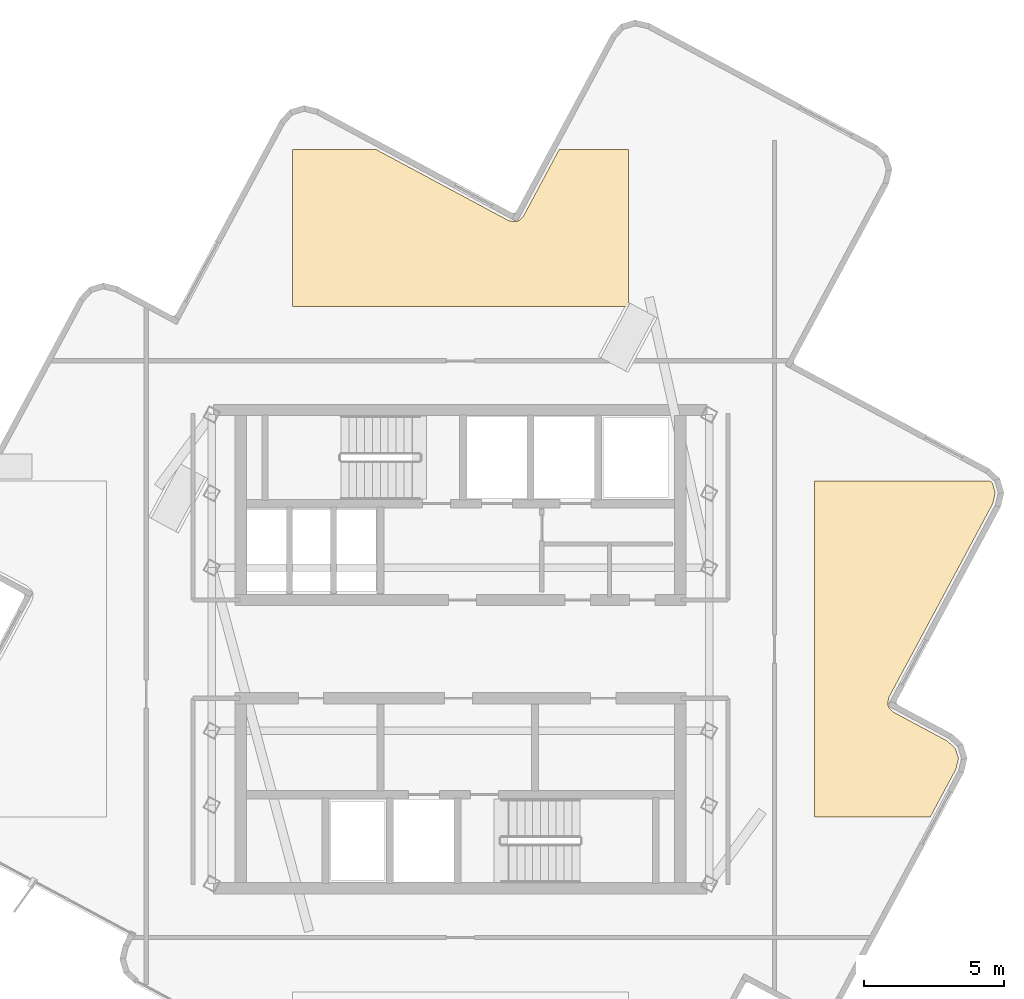
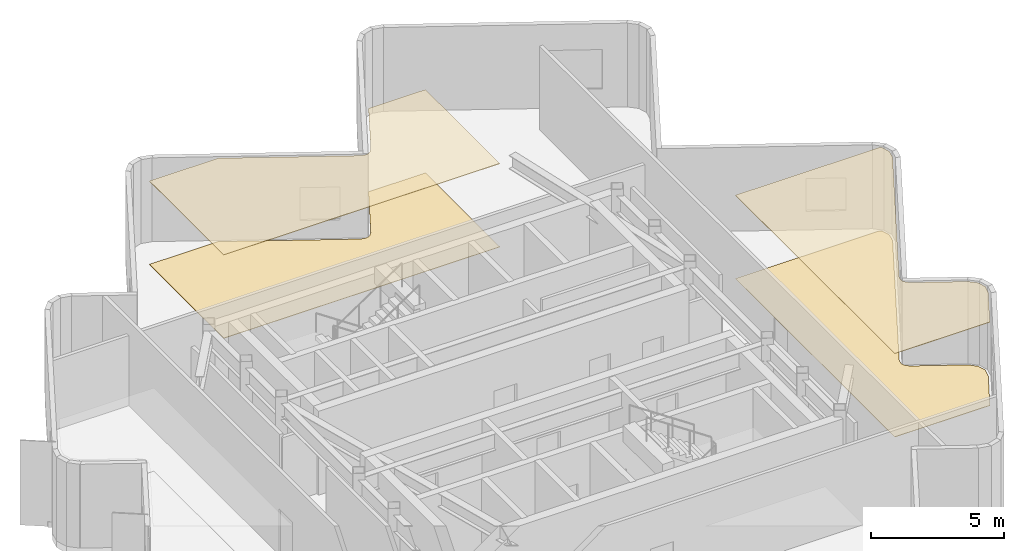
# One storey, part 8 of 9: 4 coverings.
"""IFC4 building model written with IfcOpenShell, lengths in metres."""

import ifcopenshell
import ifcopenshell.guid

model = None  # the IFC model being written
_history = None  # IfcOwnerHistory: only IFC2X3 demands one
_inside = {}  # id of a spatial element -> (the spatial element, [elements in it])
_under = {}  # id of a project, library or spatial element -> (it, [spatial elements below it])
_declared = {}  # id of a project -> (the project, [libraries it declares])
_typed = {}  # id of a type object -> (the type object, [elements of that type])
_made_of = {}  # id of a material, layer set ... -> (it, [elements and type objects made of it])


def new_model(schema):
    """Start an empty IFC model of exactly this schema.

    Asked for "IFC4X3", IfcOpenShell would pick the latest addendum, in which some entities
    have other attributes; the version numbers below select the first issue.
    IFC2X3 requires an IfcOwnerHistory on every rooted entity: one is made here for all.
    """
    global model, _history
    if schema == "IFC4X3":
        model = ifcopenshell.file(schema_version=(4, 3, 0, 0))
    else:
        model = ifcopenshell.file(schema=schema)
    _inside.clear()
    _under.clear()
    _declared.clear()
    _typed.clear()
    _made_of.clear()
    _history = None
    if model.schema == "IFC2X3":
        org = make("IfcOrganization", Name="unknown")
        user = make(
            "IfcPersonAndOrganization",
            ThePerson=make("IfcPerson", FamilyName="unknown"),
            TheOrganization=org,
        )
        app = make(
            "IfcApplication",
            ApplicationDeveloper=org,
            Version="unknown",
            ApplicationFullName="unknown",
            ApplicationIdentifier="unknown",
        )
        _history = make(
            "IfcOwnerHistory",
            OwningUser=user,
            OwningApplication=app,
            ChangeAction="ADDED",
            CreationDate=0,
        )
    return model


def make(cls, **values):
    """One entity of the class cls with the attributes given. An attribute that is None is left unset."""
    return model.create_entity(
        cls, **{name: value for name, value in values.items() if value is not None}
    )


def rooted(cls, **values):
    """An entity with a GlobalId (a new one), such as an element, a storey or a relation."""
    return make(cls, GlobalId=ifcopenshell.guid.new(), OwnerHistory=_history, **values)


def si_unit(unit_type, name, prefix=None):
    """IfcSIUnit, for example si_unit("LENGTHUNIT", "METRE", prefix="MILLI")."""
    return make("IfcSIUnit", UnitType=unit_type, Prefix=prefix, Name=name)


def assignment(units):
    """IfcUnitAssignment: the units of a project."""
    return None if units is None else make("IfcUnitAssignment", Units=units)


def point(xyz):
    """IfcCartesianPoint."""
    return None if xyz is None else make("IfcCartesianPoint", Coordinates=xyz)


def direction(xyz):
    """IfcDirection."""
    return None if xyz is None else make("IfcDirection", DirectionRatios=xyz)


def frame(location, z_axis=None, x_axis=None):
    """IfcAxis2Placement3D, a coordinate frame: its origin and axes. An axis left out is left unset."""
    return make(
        "IfcAxis2Placement3D",
        Location=point(location),
        Axis=direction(z_axis),
        RefDirection=direction(x_axis),
    )


def origin():
    """The frame at (0, 0, 0) with its axes left unset."""
    return frame((0.0, 0.0, 0.0))


def place(relative_to, where):
    """IfcLocalPlacement: puts the frame where relative to a parent placement (None: the world)."""
    return make(
        "IfcLocalPlacement", PlacementRelTo=relative_to, RelativePlacement=where
    )


def context(
    kind, dimensions, precision=None, world=None, true_north=None, identifier=None
):
    """IfcGeometricRepresentationContext, for example the 3D "Model" context."""
    return make(
        "IfcGeometricRepresentationContext",
        ContextIdentifier=identifier,
        ContextType=kind,
        CoordinateSpaceDimension=dimensions,
        Precision=precision,
        WorldCoordinateSystem=world,
        TrueNorth=true_north,
    )


def subcontext(parent, identifier, kind, view, scale=None):
    """IfcGeometricRepresentationSubContext, for example "Body" below "Model"."""
    return make(
        "IfcGeometricRepresentationSubContext",
        ContextIdentifier=identifier,
        ContextType=kind,
        ParentContext=parent,
        TargetScale=scale,
        TargetView=view,
    )


def project(units=None, contexts=None):
    """IfcProject with its units and contexts."""
    return rooted(
        "IfcProject",
        Name="project",
        RepresentationContexts=contexts,
        UnitsInContext=assignment(units),
    )


def spatial(cls, under=None, at=None, **own):
    """A site, building, storey or space (cls), placed at a placement, below another one or the project."""
    s = rooted(cls, ObjectPlacement=at, **own)
    if under is not None:
        _under.setdefault(under.id(), (under, []))[1].append(s)
    return s


def polyline(points):
    """IfcPolyline through the points."""
    return make("IfcPolyline", Points=[point(p) for p in points])


def outline(outer, holes=None, kind="AREA"):
    """IfcArbitraryClosedProfileDef: a profile drawn as a closed curve; with holes, ...WithVoids."""
    if holes is None:
        return make("IfcArbitraryClosedProfileDef", ProfileType=kind, OuterCurve=outer)
    return make(
        "IfcArbitraryProfileDefWithVoids",
        ProfileType=kind,
        OuterCurve=outer,
        InnerCurves=holes,
    )


def extrude(swept, where, along, depth):
    """IfcExtrudedAreaSolid: the profile swept, set in the frame where, extruded along a direction by depth."""
    return make(
        "IfcExtrudedAreaSolid",
        SweptArea=swept,
        Position=where,
        ExtrudedDirection=direction(along),
        Depth=depth,
    )


def shape(context_of_items, identifier, shape_type, items):
    """IfcShapeRepresentation: the items that make up one representation, for example the "Body"."""
    return make(
        "IfcShapeRepresentation",
        ContextOfItems=context_of_items,
        RepresentationIdentifier=identifier,
        RepresentationType=shape_type,
        Items=items,
    )


def material(Name=None, Category=None):
    """IfcMaterial."""
    return make("IfcMaterial", Name=Name, Category=Category)


def layer(
    of_material, thickness, ventilated=None, Name=None, Category=None, Priority=None
):
    """IfcMaterialLayer: one layer of a wall or slab, of a material (None: an air gap)."""
    return make(
        "IfcMaterialLayer",
        Material=of_material,
        LayerThickness=thickness,
        IsVentilated=ventilated,
        Name=Name,
        Category=Category,
        Priority=Priority,
    )


def layer_set(layers, Name=None):
    """IfcMaterialLayerSet."""
    return make("IfcMaterialLayerSet", MaterialLayers=layers, LayerSetName=Name)


def made_of(thing, what):
    """Note that an element or type object is made of a material, layer set ...; save() writes the relation."""
    if what is not None:
        _made_of.setdefault(what.id(), (what, []))[1].append(thing)
    return thing


def type_object(cls, material=None, **own):
    """A type object (cls), such as IfcWallType, which elements share."""
    return made_of(rooted(cls, **own), material)


def element(
    cls,
    number,
    at=None,
    inside=None,
    cuts=None,
    type_object=None,
    material=None,
    context=None,
    identifier="Body",
    shape_type=None,
    held_by="IfcProductDefinitionShape",
    body=None,
    shapes=None,
    **own,
):
    """One element of the class cls, such as IfcWall. Its Tag is "e" and its number.

    at: its placement. inside: the storey or other place that contains it. cuts: it is an
    opening in that element (IfcRelVoidsElement). A single representation is given by context,
    identifier, shape_type and body (its items); several are given by shapes. held_by: the class
    of the entity that holds the representations. save() writes the other relations.
    """
    e = rooted(cls, Tag="e%d" % number, ObjectPlacement=at, **own)
    if body is not None:
        shapes = [shape(context, identifier, shape_type, body)]
    if shapes is not None:
        e.Representation = make(held_by, Representations=shapes)
    if inside is not None:
        _inside.setdefault(inside.id(), (inside, []))[1].append(e)
    if cuts is not None:
        rooted(
            "IfcRelVoidsElement", RelatingBuildingElement=cuts, RelatedOpeningElement=e
        )
    if type_object is not None:
        _typed.setdefault(type_object.id(), (type_object, []))[1].append(e)
    return made_of(e, material)


def aggregate(whole, parts):
    """IfcRelAggregates: a whole, such as a stair, and the parts it consists of."""
    return rooted("IfcRelAggregates", RelatingObject=whole, RelatedObjects=parts)


def save(model, path):
    """Write the relations noted so far, then the file.

    IfcRelAggregates (storeys below a building ...), IfcRelContainedInSpatialStructure (elements
    in a storey), IfcRelDefinesByType, IfcRelAssociatesMaterial and IfcRelDeclares: one each for
    every whole, place, type object, material and project.
    """
    for whole, parts in _under.values():
        aggregate(whole, parts)
    for where, things in _inside.values():
        rooted(
            "IfcRelContainedInSpatialStructure",
            RelatedElements=things,
            RelatingStructure=where,
        )
    for kind, things in _typed.values():
        rooted("IfcRelDefinesByType", RelatedObjects=things, RelatingType=kind)
    for what, things in _made_of.values():
        rooted("IfcRelAssociatesMaterial", RelatedObjects=things, RelatingMaterial=what)
    for by, libraries in _declared.values():
        rooted("IfcRelDeclares", RelatingContext=by, RelatedDefinitions=libraries)
    model.write(path)


model = new_model("IFC4")

# Units and contexts
model_context = context("Model", 3, precision=1e-05, world=origin(), true_north=direction((0.0, 1.0)))
body_context = subcontext(model_context, "Body", "Model", "MODEL_VIEW")
ifc_project = project(units=[si_unit("LENGTHUNIT", "METRE"), si_unit("AREAUNIT", "SQUARE_METRE"), si_unit("VOLUMEUNIT", "CUBIC_METRE"), si_unit("PLANEANGLEUNIT", "RADIAN"), si_unit("MASSUNIT", "GRAM", prefix="KILO")], contexts=[model_context])

# Site, building, storey
site_placement = place(None, origin())
site = spatial("IfcSite", under=ifc_project, at=site_placement, CompositionType="ELEMENT")
building_placement = place(site_placement, origin())
building = spatial("IfcBuilding", under=site, at=building_placement, Name="Solmarez Civic Tower", CompositionType="ELEMENT")
storey_placement = place(building_placement, frame((0.0, 0.0, 285.1201171875)))
storey = spatial("IfcBuildingStorey", under=building, at=storey_placement, Name="L77 Crown", CompositionType="ELEMENT", Elevation=285.1201171875)

# Coverings
ifc_material_1 = material(Name="Perforated Mineral-Fibre Acoustic Ceiling")
ifc_layer_1 = layer(ifc_material_1, 0.02490234375)
ifc_layer_set_1 = layer_set([ifc_layer_1], Name="Perforated Mineral-Fibre Acoustic Ceiling")
covering_type_1 = type_object("IfcCoveringType", Name="COV-CEIL-ACOUSTIC", PredefinedType="CEILING", material=ifc_layer_set_1)
covering_1_placement = place(storey_placement, frame((0.0, 0.0, 3.81494140625)))
element("IfcCovering", 1, at=covering_1_placement, inside=storey, type_object=covering_type_1, Name="L77 Crown Suspended Acoustic Ceiling 1", PredefinedType="CEILING", context=body_context, shape_type="SweptSolid", body=[
    extrude(outline(polyline([(5.97998046875, 17.780029296875), (3.513916015625, 17.780029296875), (2.262939453125, 15.446044921875), (2.251953125, 15.427978515625), (2.243896484375, 15.416015625), (2.23095703125, 15.39892578125), (2.214111328125, 15.3798828125), (2.14404296875, 15.304931640625), (2.138916015625, 15.299072265625), (2.133056640625, 15.29296875), (2.117919921875, 15.280029296875), (2.112060546875, 15.27490234375), (2.093017578125, 15.260986328125), (2.0869140625, 15.257080078125), (2.070068359375, 15.2470703125), (2.052001953125, 15.238037109375), (2.044921875, 15.235107421875), (2.0380859375, 15.23193359375), (2.010986328125, 15.221923828125), (2.00390625, 15.219970703125), (1.9970703125, 15.218017578125), (1.98095703125, 15.214111328125), (1.964111328125, 15.2119140625), (1.9560546875, 15.2109375), (1.928955078125, 15.208984375), (1.9208984375, 15.208984375), (1.889892578125, 15.2109375), (1.885009765625, 15.2119140625), (1.87890625, 15.212890625), (1.85498046875, 15.217041015625), (1.7509765625, 15.241943359375), (1.741943359375, 15.243896484375), (1.735107421875, 15.24609375), (1.72802734375, 15.248046875), (1.7080078125, 15.2548828125), (1.68994140625, 15.262939453125), (1.68408203125, 15.26611328125), (1.677978515625, 15.26904296875), (-3.00390625, 17.780029296875), (-5.97998046875, 17.780029296875), (-5.97998046875, 12.199951171875), (5.97998046875, 12.199951171875), (5.97998046875, 17.780029296875)])), origin(), (0.0, 0.0, 1.0), 0.02490234375),
])
covering_2_placement = place(storey_placement, frame((0.0, 0.0, 3.81494140625)))
element("IfcCovering", 2, at=covering_2_placement, inside=storey, type_object=covering_type_1, Name="L77 Crown Suspended Acoustic Ceiling 3", PredefinedType="CEILING", context=body_context, shape_type="SweptSolid", body=[
    extrude(outline(polyline([(12.60009765625, 5.97998046875), (12.60009765625, -5.97998046875), (16.718017578125, -5.97998046875), (17.633056640625, -4.27490234375), (17.72412109375, -3.886962890625), (17.62109375, -3.544921875), (17.3310546875, -3.27294921875), (15.446044921875, -2.262939453125), (15.427978515625, -2.251953125), (15.416015625, -2.243896484375), (15.39892578125, -2.23095703125), (15.3798828125, -2.214111328125), (15.304931640625, -2.14404296875), (15.299072265625, -2.138916015625), (15.29296875, -2.133056640625), (15.280029296875, -2.117919921875), (15.27490234375, -2.112060546875), (15.260986328125, -2.093017578125), (15.257080078125, -2.0869140625), (15.2470703125, -2.070068359375), (15.238037109375, -2.052001953125), (15.235107421875, -2.044921875), (15.23193359375, -2.0380859375), (15.221923828125, -2.010986328125), (15.219970703125, -2.00390625), (15.218017578125, -1.9970703125), (15.214111328125, -1.98095703125), (15.2119140625, -1.964111328125), (15.2109375, -1.9560546875), (15.208984375, -1.928955078125), (15.208984375, -1.9208984375), (15.2109375, -1.889892578125), (15.2119140625, -1.885009765625), (15.212890625, -1.87890625), (15.217041015625, -1.85498046875), (15.241943359375, -1.7509765625), (15.243896484375, -1.741943359375), (15.24609375, -1.735107421875), (15.248046875, -1.72802734375), (15.2548828125, -1.7080078125), (15.262939453125, -1.68994140625), (15.26611328125, -1.68408203125), (15.26904296875, -1.677978515625), (18.943115234375, 5.173095703125), (19.032958984375, 5.56005859375), (18.929931640625, 5.902099609375), (18.847900390625, 5.97998046875), (12.60009765625, 5.97998046875)])), origin(), (0.0, 0.0, 1.0), 0.02490234375),
])
ifc_material_2 = material(Name="Polished Tropical Stone Terrazzo Flooring", Category="masonry")
ifc_layer_2 = layer(ifc_material_2, 0.02001953125)
ifc_layer_set_2 = layer_set([ifc_layer_2], Name="Polished Tropical Stone Terrazzo Flooring")
covering_type_2 = type_object("IfcCoveringType", Name="COV-FLOOR-TERRAZZO", PredefinedType="FLOORING", material=ifc_layer_set_2)
covering_3_placement = place(storey_placement, origin())
element("IfcCovering", 3, at=covering_3_placement, inside=storey, type_object=covering_type_2, Name="L77 Crown Terrazzo Floor Finish 1", PredefinedType="FLOORING", context=body_context, shape_type="SweptSolid", body=[
    extrude(outline(polyline([(5.97998046875, 17.780029296875), (3.513916015625, 17.780029296875), (2.262939453125, 15.446044921875), (2.251953125, 15.427978515625), (2.243896484375, 15.416015625), (2.23095703125, 15.39892578125), (2.214111328125, 15.3798828125), (2.14404296875, 15.304931640625), (2.138916015625, 15.299072265625), (2.133056640625, 15.29296875), (2.117919921875, 15.280029296875), (2.112060546875, 15.27490234375), (2.093017578125, 15.260986328125), (2.0869140625, 15.257080078125), (2.070068359375, 15.2470703125), (2.052001953125, 15.238037109375), (2.044921875, 15.235107421875), (2.0380859375, 15.23193359375), (2.010986328125, 15.221923828125), (2.00390625, 15.219970703125), (1.9970703125, 15.218017578125), (1.98095703125, 15.214111328125), (1.964111328125, 15.2119140625), (1.9560546875, 15.2109375), (1.928955078125, 15.208984375), (1.9208984375, 15.208984375), (1.889892578125, 15.2109375), (1.885009765625, 15.2119140625), (1.87890625, 15.212890625), (1.85498046875, 15.217041015625), (1.7509765625, 15.241943359375), (1.741943359375, 15.243896484375), (1.735107421875, 15.24609375), (1.72802734375, 15.248046875), (1.7080078125, 15.2548828125), (1.68994140625, 15.262939453125), (1.68408203125, 15.26611328125), (1.677978515625, 15.26904296875), (-3.00390625, 17.780029296875), (-5.97998046875, 17.780029296875), (-5.97998046875, 12.199951171875), (5.97998046875, 12.199951171875), (5.97998046875, 17.780029296875)])), origin(), (0.0, 0.0, 1.0), 0.019775390625),
])
covering_4_placement = place(storey_placement, origin())
element("IfcCovering", 4, at=covering_4_placement, inside=storey, type_object=covering_type_2, Name="L77 Crown Terrazzo Floor Finish 3", PredefinedType="FLOORING", context=body_context, shape_type="SweptSolid", body=[
    extrude(outline(polyline([(12.60009765625, 5.97998046875), (12.60009765625, -5.97998046875), (16.718017578125, -5.97998046875), (17.633056640625, -4.27490234375), (17.72412109375, -3.886962890625), (17.62109375, -3.544921875), (17.3310546875, -3.27294921875), (15.446044921875, -2.262939453125), (15.427978515625, -2.251953125), (15.416015625, -2.243896484375), (15.39892578125, -2.23095703125), (15.3798828125, -2.214111328125), (15.304931640625, -2.14404296875), (15.299072265625, -2.138916015625), (15.29296875, -2.133056640625), (15.280029296875, -2.117919921875), (15.27490234375, -2.112060546875), (15.260986328125, -2.093017578125), (15.257080078125, -2.0869140625), (15.2470703125, -2.070068359375), (15.238037109375, -2.052001953125), (15.235107421875, -2.044921875), (15.23193359375, -2.0380859375), (15.221923828125, -2.010986328125), (15.219970703125, -2.00390625), (15.218017578125, -1.9970703125), (15.214111328125, -1.98095703125), (15.2119140625, -1.964111328125), (15.2109375, -1.9560546875), (15.208984375, -1.928955078125), (15.208984375, -1.9208984375), (15.2109375, -1.889892578125), (15.2119140625, -1.885009765625), (15.212890625, -1.87890625), (15.217041015625, -1.85498046875), (15.241943359375, -1.7509765625), (15.243896484375, -1.741943359375), (15.24609375, -1.735107421875), (15.248046875, -1.72802734375), (15.2548828125, -1.7080078125), (15.262939453125, -1.68994140625), (15.26611328125, -1.68408203125), (15.26904296875, -1.677978515625), (18.943115234375, 5.173095703125), (19.032958984375, 5.56005859375), (18.929931640625, 5.902099609375), (18.847900390625, 5.97998046875), (12.60009765625, 5.97998046875)])), origin(), (0.0, 0.0, 1.0), 0.019775390625),
])

save(model, "model.ifc")
